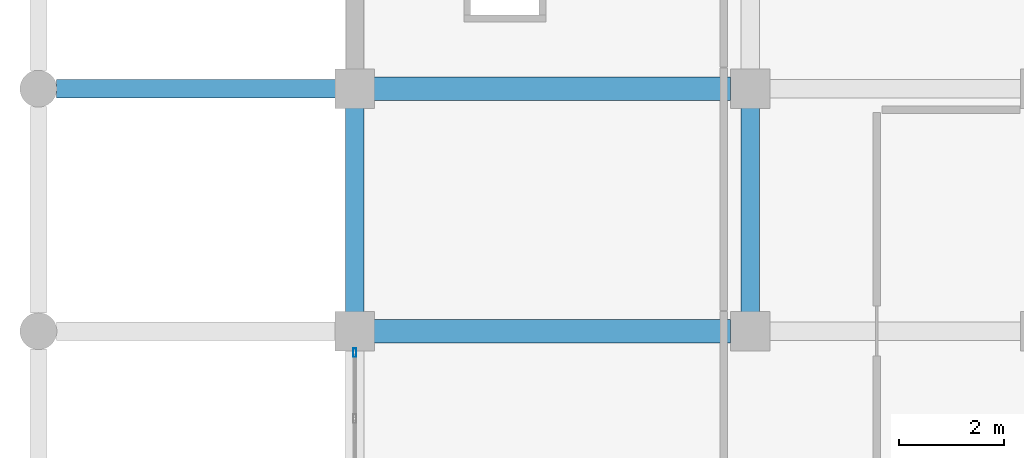
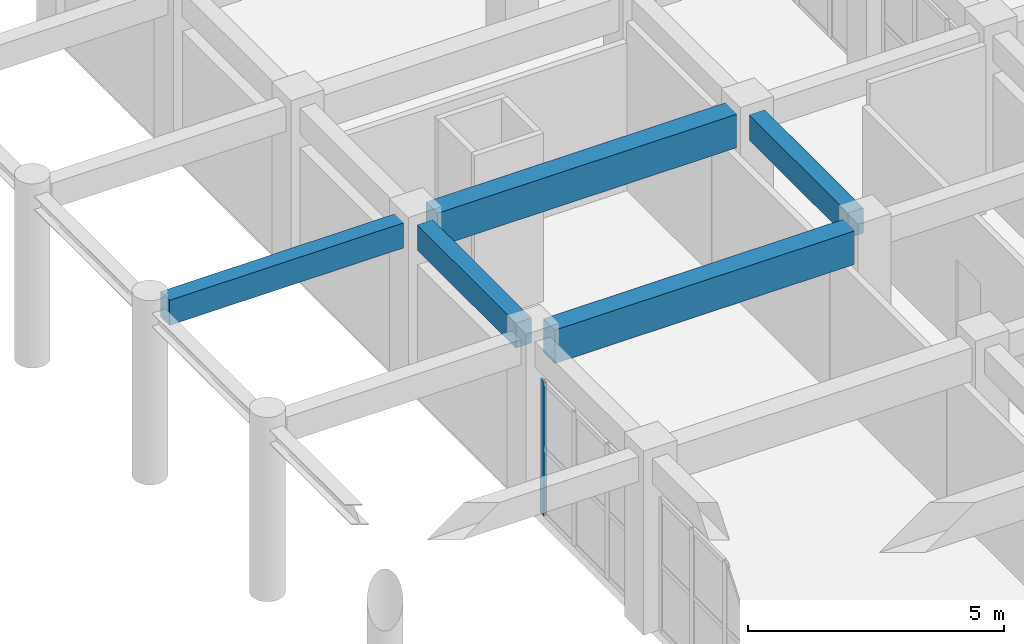
# One storey, part 22 of 116: 5 beams, 1 member, 1 element without a shape of its own.
"""IFC4 building model written with IfcOpenShell, lengths in metres."""

from ifc_helpers import new_model, si_unit, direction, frame, origin, origin_2d, place, context, subcontext, project, spatial, rectangle, hollow_rectangle, extrude, material, layer, layer_set, material_profile, profile_set, type_object, element, aggregate, save


model = new_model("IFC4")

# Units and contexts
model_context = context("Model", 3, precision=1e-05, world=origin(), true_north=direction((0.0, 1.0)))
body_context = subcontext(model_context, "Body", "Model", "MODEL_VIEW")
ifc_project = project(units=[si_unit("LENGTHUNIT", "METRE"), si_unit("AREAUNIT", "SQUARE_METRE"), si_unit("VOLUMEUNIT", "CUBIC_METRE"), si_unit("PLANEANGLEUNIT", "RADIAN"), si_unit("MASSUNIT", "GRAM", prefix="KILO")], contexts=[model_context])

# Site, building, storey
site_placement = place(None, origin())
site = spatial("IfcSite", under=ifc_project, at=site_placement, CompositionType="ELEMENT")
building_placement = place(site_placement, origin())
building = spatial("IfcBuilding", under=site, at=building_placement, Name="Muzn Square Opera House", CompositionType="ELEMENT")
storey_placement = place(building_placement, frame((0.0, 0.0, 5.39990234375)))
storey = spatial("IfcBuildingStorey", under=building, at=storey_placement, Name="L01", CompositionType="ELEMENT", Elevation=5.39990234375)

# Curtain wall, member
ifc_material_1 = material(Name="Low-E laminated acoustic double glazing", Category="glass")
ifc_layer = layer(ifc_material_1, 0.159912109375, Name="Low-E laminated acoustic double glazing", Category="glass")
ifc_layer_set = layer_set([ifc_layer], Name="Low-E laminated acoustic double glazing")
curtain_wall_type = type_object("IfcCurtainWallType", Name="Glazed Curtain Wall WestBlvd 3850x3200", PredefinedType="USERDEFINED", material=ifc_layer_set)
curtain_wall_placement = place(storey_placement, origin())
curtain_wall = element("IfcCurtainWall", 1, at=curtain_wall_placement, inside=storey, type_object=curtain_wall_type, Name="Glazed Curtain Wall CW-L01-143", ObjectType="GLAZED CURTAIN WALL", PredefinedType="USERDEFINED")
ifc_material_2 = material(Name="Anodised bronze aluminium 6063-T6", Category="metal")
ifc_material_profile_1 = material_profile(ifc_material_2, hollow_rectangle(XDim=0.06005859375, YDim=0.159912109375, WallThickness=0.00390625, at=origin_2d()), Name="ALU 160x60x4", Category="metal")
ifc_profile_set_1 = profile_set([ifc_material_profile_1], Name="Anodised bronze aluminium 6063-T6")
member_type = type_object("IfcMemberType", Name="Curtain Wall Mullion 160x60", PredefinedType="MULLION", material=ifc_profile_set_1)
member_placement = place(storey_placement, frame((6.0, 49.195068359375, 0.0), z_axis=(0.0, 0.0, 1.0), x_axis=(-1.0, 0.0, 0.0)))
member = element("IfcMember", 2, at=member_placement, type_object=member_type, Name="CW-WBL-38x32 mullion 4", PredefinedType="MULLION", context=body_context, shape_type="SweptSolid", body=[
    extrude(hollow_rectangle(XDim=0.06005859375, YDim=0.159912109375, WallThickness=0.00390625, at=origin_2d()), origin(), (0.0, 0.0, 1.0), 3.2001953125),
])
aggregate(curtain_wall, [member])

# Beams
ifc_material_3 = material(Name="Concrete C40/50", Category="concrete")
ifc_material_profile_2 = material_profile(ifc_material_3, rectangle(XDim=0.35009765625, YDim=0.60009765625, at=origin_2d()), Name="RCB 350x600", Category="concrete")
ifc_profile_set_2 = profile_set([ifc_material_profile_2], Name="Concrete C40/50")
beam_type_1 = type_object("IfcBeamType", Name="Primary Girder 350x600", PredefinedType="BEAM", material=ifc_profile_set_2)
beam_placement = place(storey_placement, frame((0.342041015625, 54.199951171875, 3.85009765625), z_axis=(1.0, 0.0, 0.0), x_axis=(0.0, 1.0, 0.0)))
element("IfcBeam", 3, at=beam_placement, inside=storey, type_object=beam_type_1, Name="Primary Girder BM-L01-BM-PG600-3_542_56_542-1368", PredefinedType="BEAM", context=body_context, shape_type="SweptSolid", body=[
    extrude(rectangle(XDim=0.35009765625, YDim=0.60009765625, at=origin_2d()), origin(), (0.0, 0.0, 1.0), 5.291015625),
])
for number, where, z_axis, x_axis, name in (
    (4, (6.0, 49.967041015625, 3.85009765625), (0.0, 1.0, 0.0), (-1.0, 0.0, 0.0), "Primary Girder BM-L01-BM-PG600-60_500_60_538-1534"),
    (5, (13.5, 49.967041015625, 3.85009765625), (0.0, 1.0, 0.0), (-1.0, 0.0, 0.0), "Primary Girder BM-L01-BM-PG600-135_500_135_538-1549"),
):
    element("IfcBeam", number, at=place(storey_placement, frame(where, z_axis=z_axis, x_axis=x_axis)), inside=storey, type_object=beam_type_1, Name=name, PredefinedType="BEAM", context=body_context, shape_type="SweptSolid", body=[
        extrude(rectangle(XDim=0.35009765625, YDim=0.60009765625, at=origin_2d()), origin(), (0.0, 0.0, 1.0), 3.865966796875),
    ])
ifc_material_profile_3 = material_profile(ifc_material_3, rectangle(XDim=0.449951171875, YDim=0.800048828125, at=origin_2d()), Name="RCB 450x800", Category="concrete")
ifc_profile_set_3 = profile_set([ifc_material_profile_3], Name="Concrete C40/50")
beam_type_2 = type_object("IfcBeamType", Name="Primary Girder 450x800", PredefinedType="BEAM", material=ifc_profile_set_3)
for number, where, z_axis, x_axis, name in (
    (6, (6.366943359375, 49.60009765625, 3.75), (1.0, 0.0, 0.0), (0.0, 1.0, 0.0), "Primary Girder BM-L01-BM-PG800-64_496_131_496-1363"),
    (7, (6.366943359375, 54.199951171875, 3.75), (1.0, 0.0, 0.0), (0.0, 1.0, 0.0), "Primary Girder BM-L01-BM-PG800-64_542_131_542-1369"),
):
    element("IfcBeam", number, at=place(storey_placement, frame(where, z_axis=z_axis, x_axis=x_axis)), inside=storey, type_object=beam_type_2, Name=name, PredefinedType="BEAM", context=body_context, shape_type="SweptSolid", body=[
        extrude(rectangle(XDim=0.449951171875, YDim=0.800048828125, at=origin_2d()), origin(), (0.0, 0.0, 1.0), 6.76611328125),
    ])

save(model, "model.ifc")
